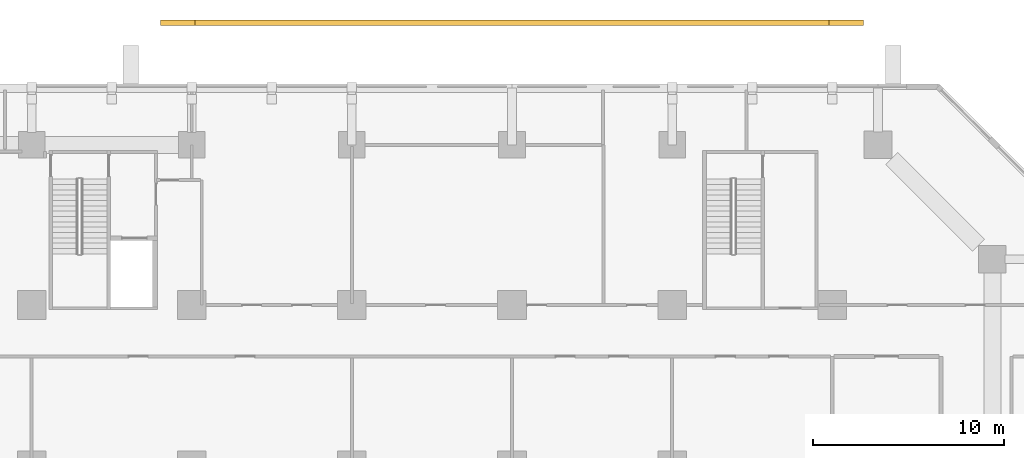
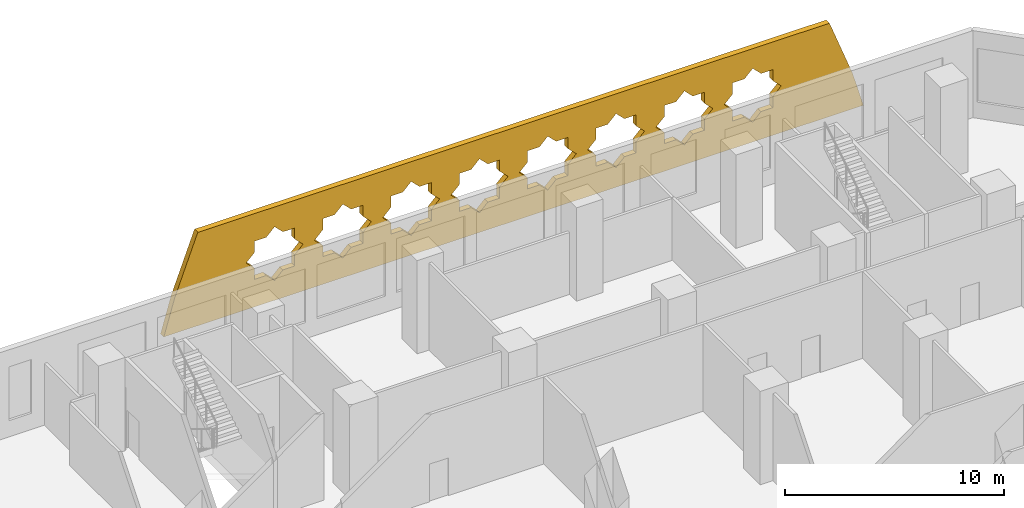
# One storey, part 20 of 21: 1 covering.
"""IFC4 building model written with IfcOpenShell, lengths in metres."""

from ifc_helpers import new_model, si_unit, direction, frame, origin, place, context, subcontext, project, spatial, polyline, outline, extrude, material, layer, layer_set, type_object, element, save


model = new_model("IFC4")

# Units and contexts
model_context = context("Model", 3, precision=1e-05, world=origin(), true_north=direction((0.0, 1.0)))
body_context = subcontext(model_context, "Body", "Model", "MODEL_VIEW")
ifc_project = project(units=[si_unit("LENGTHUNIT", "METRE"), si_unit("AREAUNIT", "SQUARE_METRE"), si_unit("VOLUMEUNIT", "CUBIC_METRE"), si_unit("PLANEANGLEUNIT", "RADIAN"), si_unit("MASSUNIT", "GRAM", prefix="KILO")], contexts=[model_context])

# Site, building, storey
site_placement = place(None, origin())
site = spatial("IfcSite", under=ifc_project, at=site_placement, CompositionType="ELEMENT")
building_placement = place(site_placement, origin())
building = spatial("IfcBuilding", under=site, at=building_placement, Name="Kawkab Arch Medical Tower", CompositionType="ELEMENT")
storey_placement = place(building_placement, frame((0.0, 0.0, 23.800048828125)))
storey = spatial("IfcBuildingStorey", under=building, at=storey_placement, Name="L05", CompositionType="ELEMENT", Elevation=23.800048828125)

# Covering
ifc_material = material(Name="Perforated bronze anodised aluminium, eight-point star pattern", Category="aluminium")
ifc_layer = layer(ifc_material, 0.300048828125)
ifc_layer_set = layer_set([ifc_layer], Name="Perforated bronze anodised aluminium, eight-point star pattern")
covering_type = type_object("IfcCoveringType", Name="Spandrel star screen 300", PredefinedType="USERDEFINED", material=ifc_layer_set)
covering_placement = place(storey_placement, frame((0.0, 6.550048828125, -23.800048828125), z_axis=(0.0, -1.0, 0.0), x_axis=(1.0, 0.0, 0.0)))
element("IfcCovering", 1, at=covering_placement, inside=storey, type_object=covering_type, Name="Spandrel screen N 4.1", ObjectType="SCREEN", PredefinedType="USERDEFINED", context=body_context, shape_type="SweptSolid", body=[
    extrude(outline(polyline([(48.763916015625, 23.800048828125), (85.635986328125, 23.800048828125), (85.0634765625, 25.7841796875), (83.879150390625, 28.920654296875), (83.841552734375, 29.0), (50.55859375, 29.0), (50.52099609375, 28.920654296875), (49.33642578125, 25.7841796875), (48.763916015625, 23.800048828125)]), holes=[polyline([(56.10009765625, 26.39990234375), (55.66064453125, 26.83935546875), (55.66064453125, 27.460693359375), (55.039306640625, 27.460693359375), (54.60009765625, 27.89990234375), (54.16064453125, 27.460693359375), (53.539306640625, 27.460693359375), (53.539306640625, 26.83935546875), (53.10009765625, 26.39990234375), (53.539306640625, 25.960693359375), (53.539306640625, 25.33935546875), (54.16064453125, 25.33935546875), (54.60009765625, 24.89990234375), (55.039306640625, 25.33935546875), (55.66064453125, 25.33935546875), (55.66064453125, 25.960693359375), (56.10009765625, 26.39990234375)]), polyline([(59.699951171875, 26.39990234375), (59.2607421875, 26.83935546875), (59.2607421875, 27.460693359375), (58.639404296875, 27.460693359375), (58.199951171875, 27.89990234375), (57.7607421875, 27.460693359375), (57.139404296875, 27.460693359375), (57.139404296875, 26.83935546875), (56.699951171875, 26.39990234375), (57.139404296875, 25.960693359375), (57.139404296875, 25.33935546875), (57.7607421875, 25.33935546875), (58.199951171875, 24.89990234375), (58.639404296875, 25.33935546875), (59.2607421875, 25.33935546875), (59.2607421875, 25.960693359375), (59.699951171875, 26.39990234375)]), polyline([(63.300048828125, 26.39990234375), (62.860595703125, 26.83935546875), (62.860595703125, 27.460693359375), (62.2392578125, 27.460693359375), (61.800048828125, 27.89990234375), (61.360595703125, 27.460693359375), (60.7392578125, 27.460693359375), (60.7392578125, 26.83935546875), (60.300048828125, 26.39990234375), (60.7392578125, 25.960693359375), (60.7392578125, 25.33935546875), (61.360595703125, 25.33935546875), (61.800048828125, 24.89990234375), (62.2392578125, 25.33935546875), (62.860595703125, 25.33935546875), (62.860595703125, 25.960693359375), (63.300048828125, 26.39990234375)]), polyline([(66.89990234375, 26.39990234375), (66.460693359375, 26.83935546875), (66.460693359375, 27.460693359375), (65.83935546875, 27.460693359375), (65.39990234375, 27.89990234375), (64.960693359375, 27.460693359375), (64.33935546875, 27.460693359375), (64.33935546875, 26.83935546875), (63.89990234375, 26.39990234375), (64.33935546875, 25.960693359375), (64.33935546875, 25.33935546875), (64.960693359375, 25.33935546875), (65.39990234375, 24.89990234375), (65.83935546875, 25.33935546875), (66.460693359375, 25.33935546875), (66.460693359375, 25.960693359375), (66.89990234375, 26.39990234375)]), polyline([(70.5, 26.39990234375), (70.060791015625, 26.83935546875), (70.060791015625, 27.460693359375), (69.439208984375, 27.460693359375), (69.0, 27.89990234375), (68.560791015625, 27.460693359375), (67.939208984375, 27.460693359375), (67.939208984375, 26.83935546875), (67.5, 26.39990234375), (67.939208984375, 25.960693359375), (67.939208984375, 25.33935546875), (68.560791015625, 25.33935546875), (69.0, 24.89990234375), (69.439208984375, 25.33935546875), (70.060791015625, 25.33935546875), (70.060791015625, 25.960693359375), (70.5, 26.39990234375)]), polyline([(74.10009765625, 26.39990234375), (73.66064453125, 26.83935546875), (73.66064453125, 27.460693359375), (73.039306640625, 27.460693359375), (72.60009765625, 27.89990234375), (72.16064453125, 27.460693359375), (71.539306640625, 27.460693359375), (71.539306640625, 26.83935546875), (71.10009765625, 26.39990234375), (71.539306640625, 25.960693359375), (71.539306640625, 25.33935546875), (72.16064453125, 25.33935546875), (72.60009765625, 24.89990234375), (73.039306640625, 25.33935546875), (73.66064453125, 25.33935546875), (73.66064453125, 25.960693359375), (74.10009765625, 26.39990234375)]), polyline([(77.699951171875, 26.39990234375), (77.2607421875, 26.83935546875), (77.2607421875, 27.460693359375), (76.639404296875, 27.460693359375), (76.199951171875, 27.89990234375), (75.7607421875, 27.460693359375), (75.139404296875, 27.460693359375), (75.139404296875, 26.83935546875), (74.699951171875, 26.39990234375), (75.139404296875, 25.960693359375), (75.139404296875, 25.33935546875), (75.7607421875, 25.33935546875), (76.199951171875, 24.89990234375), (76.639404296875, 25.33935546875), (77.2607421875, 25.33935546875), (77.2607421875, 25.960693359375), (77.699951171875, 26.39990234375)]), polyline([(81.300048828125, 26.39990234375), (80.860595703125, 26.83935546875), (80.860595703125, 27.460693359375), (80.2392578125, 27.460693359375), (79.800048828125, 27.89990234375), (79.360595703125, 27.460693359375), (78.7392578125, 27.460693359375), (78.7392578125, 26.83935546875), (78.300048828125, 26.39990234375), (78.7392578125, 25.960693359375), (78.7392578125, 25.33935546875), (79.360595703125, 25.33935546875), (79.800048828125, 24.89990234375), (80.2392578125, 25.33935546875), (80.860595703125, 25.33935546875), (80.860595703125, 25.960693359375), (81.300048828125, 26.39990234375)])]), origin(), (0.0, 0.0, 1.0), 0.300048828125),
])

save(model, "model.ifc")
